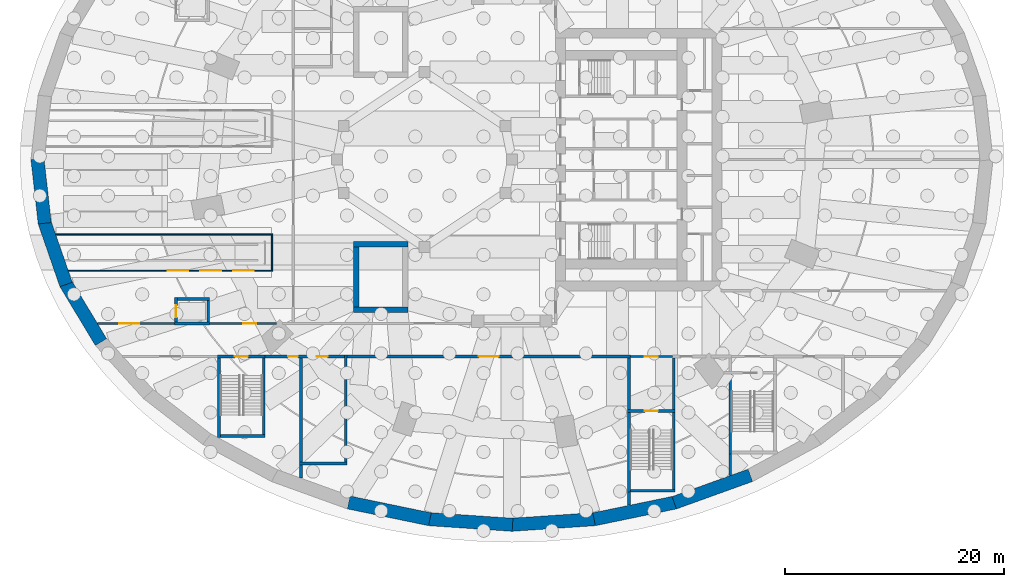
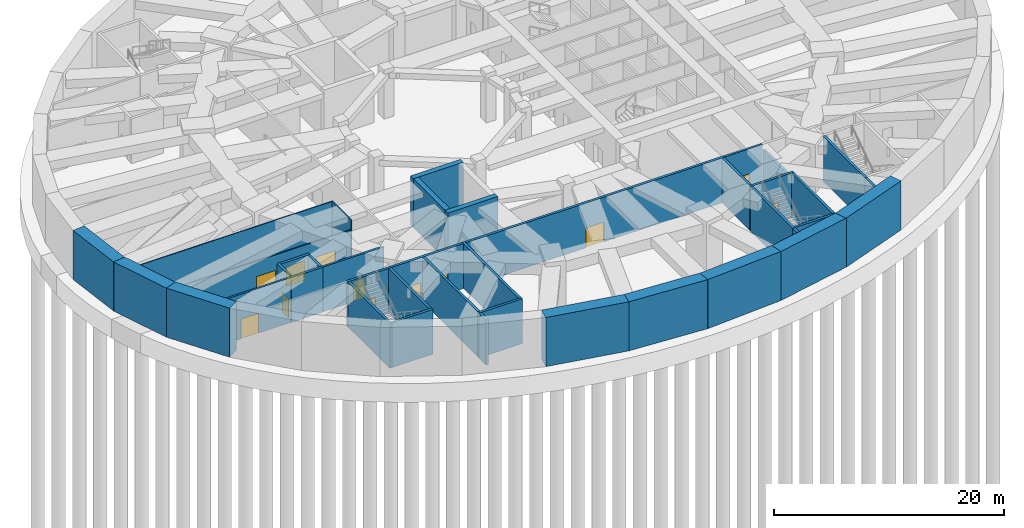
# One storey, part 7 of 18: 40 walls, 12 doors, 12 openings.
"""IFC4 building model written with IfcOpenShell, lengths in metres."""

from ifc_helpers import new_model, si_unit, direction, frame, frame_2d, origin, place, context, subcontext, project, spatial, rectangle, extrude, material, layer, layer_set, type_object, element, fill, save


model = new_model("IFC4")

# Units and contexts
model_context = context("Model", 3, precision=1e-05, world=origin(), true_north=direction((0.0, 1.0)))
body_context = subcontext(model_context, "Body", "Model", "MODEL_VIEW")
ifc_project = project(units=[si_unit("LENGTHUNIT", "METRE"), si_unit("AREAUNIT", "SQUARE_METRE"), si_unit("VOLUMEUNIT", "CUBIC_METRE"), si_unit("PLANEANGLEUNIT", "RADIAN"), si_unit("MASSUNIT", "GRAM", prefix="KILO")], contexts=[model_context])

# Site, building, storey
site_placement = place(None, origin())
site = spatial("IfcSite", under=ifc_project, at=site_placement, CompositionType="ELEMENT")
building_placement = place(site_placement, origin())
building = spatial("IfcBuilding", under=site, at=building_placement, Name="Taillehof Tower", CompositionType="ELEMENT")
storey_placement = place(building_placement, frame((0.0, 0.0, -10.39990234375)))
storey = spatial("IfcBuildingStorey", under=building, at=storey_placement, Name="B2", CompositionType="ELEMENT", Elevation=-10.39990234375)

# Wall, opening, door
ifc_material_1 = material(Name="Calcium silicate blockwork", Category="masonry")
ifc_layer_1 = layer(ifc_material_1, 0.199951171875)
ifc_layer_set_1 = layer_set([ifc_layer_1], Name="Compartment wall EI 60 200 mm")
wall_type_1 = type_object("IfcWallType", Name="Compartment wall EI 60 200 mm", PredefinedType="PARTITIONING", material=ifc_layer_set_1)
wall_1_placement = place(storey_placement, frame((10.824951171875, -18.0, 0.0), z_axis=(0.0, 0.0, 1.0), x_axis=(1.0, 0.0, 0.0)))
wall_1 = element("IfcWall", 1, at=wall_1_placement, inside=storey, type_object=wall_type_1, Name="Wall B2-14 / B2-27", PredefinedType="PARTITIONING", context=body_context, shape_type="SweptSolid", body=[
    extrude(rectangle(XDim=3.85009765625, YDim=0.199951171875, at=frame_2d((1.925048828125, 0.0))), origin(), (0.0, 0.0, 1.0), 4.75),
])
opening_1_placement = place(wall_1_placement, frame((1.324951171875, 0.0, 0.0)))
opening_1 = element("IfcOpeningElement", 2, at=opening_1_placement, cuts=wall_1, Name="Opening DB248", PredefinedType="OPENING", context=body_context, shape_type="SweptSolid", body=[
    extrude(rectangle(XDim=1.199951171875, YDim=2.10009765625, at=frame_2d((0.60009765625, 1.050048828125))), frame((0.0, 0.10986328125, 0.0), z_axis=(0.0, -1.0, 0.0), x_axis=(1.0, 0.0, 0.0)), (0.0, 0.0, 1.0), 0.219970703125),
])
ifc_material_2 = material(Name="Hollow metal door set")
door_type_1 = type_object("IfcDoorType", Name="Single door 1200 x 2100 FD60S", OperationType="SINGLE_SWING_LEFT", PredefinedType="DOOR", material=ifc_material_2)
door_1_placement = place(opening_1_placement, origin())
door_1 = element("IfcDoor", 3, at=door_1_placement, inside=storey, type_object=door_type_1, Name="Door DB248", OperationType="SINGLE_SWING_RIGHT", OverallHeight=2.10009765625, OverallWidth=1.199951171875, PredefinedType="DOOR", context=body_context, shape_type="SweptSolid", body=[
    extrude(rectangle(XDim=1.199951171875, YDim=2.10009765625, at=frame_2d((0.60009765625, 1.050048828125))), frame((0.0, 0.02490234375, 0.0), z_axis=(0.0, -1.0, 0.0), x_axis=(1.0, 0.0, 0.0)), (0.0, 0.0, 1.0), 0.050048828125),
])
fill(opening_1, door_1)

wall_2_placement = place(storey_placement, frame((-37.914794921875, -15.0, 0.0), z_axis=(0.0, 0.0, 1.0), x_axis=(1.0, 0.0, 0.0)))
wall_2 = element("IfcWall", 4, at=wall_2_placement, inside=storey, type_object=wall_type_1, Name="Wall B2-11 / B2-14", PredefinedType="PARTITIONING", context=body_context, shape_type="SweptSolid", body=[
    extrude(rectangle(XDim=7.064697265625, YDim=0.199951171875, at=frame_2d((3.5322265625, 0.0))), origin(), (0.0, 0.0, 1.0), 4.75),
])
opening_2_placement = place(wall_2_placement, frame((2.0146484375, 0.0, 0.0)))
opening_2 = element("IfcOpeningElement", 5, at=opening_2_placement, cuts=wall_2, Name="Opening DB252", PredefinedType="OPENING", context=body_context, shape_type="SweptSolid", body=[
    extrude(rectangle(XDim=1.800048828125, YDim=2.10009765625, at=frame_2d((0.89990234375, 1.050048828125))), frame((0.0, 0.10986328125, 0.0), z_axis=(0.0, -1.0, 0.0), x_axis=(1.0, 0.0, 0.0)), (0.0, 0.0, 1.0), 0.219970703125),
])
ifc_material_3 = material(Name="Hollow metal door set")
door_type_2 = type_object("IfcDoorType", Name="Double door 1800 x 2100 FD60S", OperationType="DOUBLE_DOOR_SINGLE_SWING", PredefinedType="DOOR", material=ifc_material_3)
door_2_placement = place(opening_2_placement, origin())
door_2 = element("IfcDoor", 6, at=door_2_placement, inside=storey, type_object=door_type_2, Name="Door DB252", OperationType="DOUBLE_DOOR_SINGLE_SWING", OverallHeight=2.10009765625, OverallWidth=1.800048828125, PredefinedType="DOOR", context=body_context, shape_type="SweptSolid", body=[
    extrude(rectangle(XDim=1.800048828125, YDim=2.10009765625, at=frame_2d((0.89990234375, 1.050048828125))), frame((0.0, 0.02490234375, 0.0), z_axis=(0.0, -1.0, 0.0), x_axis=(1.0, 0.0, 0.0)), (0.0, 0.0, 1.0), 0.050048828125),
])
fill(opening_2, door_2)

wall_3_placement = place(storey_placement, frame((-27.64990234375, -15.0, 0.0), z_axis=(0.0, 0.0, 1.0), x_axis=(1.0, 0.0, 0.0)))
wall_3 = element("IfcWall", 7, at=wall_3_placement, inside=storey, type_object=wall_type_1, Name="Wall B2-11 / B2-14", PredefinedType="PARTITIONING", context=body_context, shape_type="SweptSolid", body=[
    extrude(rectangle(XDim=6.106689453125, YDim=0.199951171875, at=frame_2d((3.05322265625, 0.0))), origin(), (0.0, 0.0, 1.0), 4.75),
])
opening_3_placement = place(wall_3_placement, frame((3.050048828125, 0.0, 0.0)))
opening_3 = element("IfcOpeningElement", 8, at=opening_3_placement, cuts=wall_3, Name="Opening DB253", PredefinedType="OPENING", context=body_context, shape_type="SweptSolid", body=[
    extrude(rectangle(XDim=1.199951171875, YDim=2.10009765625, at=frame_2d((0.60009765625, 1.050048828125))), frame((0.0, 0.10986328125, 0.0), z_axis=(0.0, -1.0, 0.0), x_axis=(1.0, 0.0, 0.0)), (0.0, 0.0, 1.0), 0.219970703125),
])
door_3_placement = place(opening_3_placement, origin())
door_3 = element("IfcDoor", 9, at=door_3_placement, inside=storey, type_object=door_type_1, Name="Door DB253", OperationType="SINGLE_SWING_LEFT", OverallHeight=2.10009765625, OverallWidth=1.199951171875, PredefinedType="DOOR", context=body_context, shape_type="SweptSolid", body=[
    extrude(rectangle(XDim=1.199951171875, YDim=2.10009765625, at=frame_2d((0.60009765625, 1.050048828125))), frame((0.0, 0.02490234375, 0.0), z_axis=(0.0, -1.0, 0.0), x_axis=(1.0, 0.0, 0.0)), (0.0, 0.0, 1.0), 0.050048828125),
])
fill(opening_3, door_3)

# Walls
ifc_material_4 = material(Name="Concrete C35/45", Category="concrete")
ifc_layer_2 = layer(ifc_material_4, 1.199951171875)
ifc_layer_set_2 = layer_set([ifc_layer_2], Name="Diaphragm wall 1200")
wall_type_2 = type_object("IfcWallType", Name="Diaphragm wall 1200", PredefinedType="USERDEFINED", material=ifc_layer_set_2)
wall_4_placement = place(storey_placement, frame((-43.402099609375, 0.05224609375, 0.0), z_axis=(0.0, 0.0, 1.0), x_axis=(0.112525170728, -0.993648874579, 0.0)))
element("IfcWall", 10, at=wall_4_placement, inside=storey, type_object=wall_type_2, Name="Diaphragm wall DW19", ObjectType="Retaining wall", PredefinedType="USERDEFINED", context=body_context, shape_type="SweptSolid", body=[
    extrude(rectangle(XDim=5.912353515625, YDim=1.199951171875, at=frame_2d((2.9560546875, 0.0))), origin(), (0.0, 0.0, 1.0), 5.199951171875),
])
wall_5_placement = place(storey_placement, frame((-42.760009765625, -5.720703125, 0.0), z_axis=(0.0, 0.0, 1.0), x_axis=(0.327626042927, -0.944807480917, 0.0)))
element("IfcWall", 11, at=wall_5_placement, inside=storey, type_object=wall_type_2, Name="Diaphragm wall DW20", ObjectType="Retaining wall", PredefinedType="USERDEFINED", context=body_context, shape_type="SweptSolid", body=[
    extrude(rectangle(XDim=6.034423828125, YDim=1.199951171875, at=frame_2d((3.01708984375, 0.0))), origin(), (0.0, 0.0, 1.0), 5.199951171875),
])
wall_6_placement = place(storey_placement, frame((-40.827392578125, -11.32763671875, 0.0), z_axis=(0.0, 0.0, 1.0), x_axis=(0.516691596258, -0.856171591655, 0.0)))
element("IfcWall", 12, at=wall_6_placement, inside=storey, type_object=wall_type_2, Name="Diaphragm wall DW21", ObjectType="Retaining wall", PredefinedType="USERDEFINED", context=body_context, shape_type="SweptSolid", body=[
    extrude(rectangle(XDim=6.25732421875, YDim=1.199951171875, at=frame_2d((3.128662109375, 0.0))), origin(), (0.0, 0.0, 1.0), 5.199951171875),
])
wall_7_placement = place(storey_placement, frame((-14.93701171875, -31.360107421875, 0.0), z_axis=(0.0, 0.0, 1.0), x_axis=(0.979235314674, -0.202726906196, 0.0)))
element("IfcWall", 13, at=wall_7_placement, inside=storey, type_object=wall_type_2, Name="Diaphragm wall DW26", ObjectType="Retaining wall", PredefinedType="USERDEFINED", context=body_context, shape_type="SweptSolid", body=[
    extrude(rectangle(XDim=7.5869140625, YDim=1.199951171875, at=frame_2d((3.79345703125, 0.0))), origin(), (0.0, 0.0, 1.0), 5.199951171875),
])
for number, where, z_axis, x_axis, name in (
    (14, (-7.611572265625, -32.884033203125, 0.0), (0.0, 0.0, 1.0), (0.99772313347, -0.067442930977, 0.0), "Diaphragm wall DW27"),
    (15, (-0.052490234375, -33.402099609375, 0.0), (0.0, 0.0, 1.0), (0.99772313347, 0.067442930977, 0.0), "Diaphragm wall DW28"),
):
    element("IfcWall", number, at=place(storey_placement, frame(where, z_axis=z_axis, x_axis=x_axis)), inside=storey, type_object=wall_type_2, Name=name, ObjectType="Retaining wall", PredefinedType="USERDEFINED", context=body_context, shape_type="SweptSolid", body=[
        extrude(rectangle(XDim=7.681640625, YDim=1.199951171875, at=frame_2d((3.8408203125, 0.0))), origin(), (0.0, 0.0, 1.0), 5.199951171875),
    ])
wall_8_placement = place(storey_placement, frame((7.507568359375, -32.898193359375, 0.0), z_axis=(0.0, 0.0, 1.0), x_axis=(0.979235314674, 0.202726906196, 0.0)))
element("IfcWall", 16, at=wall_8_placement, inside=storey, type_object=wall_type_2, Name="Diaphragm wall DW29", ObjectType="Retaining wall", PredefinedType="USERDEFINED", context=body_context, shape_type="SweptSolid", body=[
    extrude(rectangle(XDim=7.5869140625, YDim=1.199951171875, at=frame_2d((3.79345703125, 0.0))), origin(), (0.0, 0.0, 1.0), 5.199951171875),
])
wall_9_placement = place(storey_placement, frame((14.836181640625, -31.388427734375, 0.0), z_axis=(0.0, 0.0, 1.0), x_axis=(0.940789454531, 0.338991448628, 0.0)))
element("IfcWall", 17, at=wall_9_placement, inside=storey, type_object=wall_type_2, Name="Diaphragm wall DW30", ObjectType="Retaining wall", PredefinedType="USERDEFINED", context=body_context, shape_type="SweptSolid", body=[
    extrude(rectangle(XDim=7.40576171875, YDim=1.199951171875, at=frame_2d((3.702880859375, 0.0))), origin(), (0.0, 0.0, 1.0), 5.199951171875),
])
ifc_material_5 = material(Name="Calcium silicate blockwork", Category="masonry")
ifc_layer_3 = layer(ifc_material_5, 0.25)
ifc_layer_set_3 = layer_set([ifc_layer_3], Name="Fire-resisting wall EI 120 250 mm")
wall_type_3 = type_object("IfcWallType", Name="Fire-resisting wall EI 120 250 mm", PredefinedType="PARTITIONING", material=ifc_layer_set_3)
wall_10_placement = place(storey_placement, frame((-19.425048828125, -27.7900390625, 0.0), z_axis=(0.0, 0.0, 1.0), x_axis=(1.0, 0.0, 0.0)))
element("IfcWall", 18, at=wall_10_placement, inside=storey, type_object=wall_type_3, Name="Wall B2-25 / B2-26", PredefinedType="PARTITIONING", context=body_context, shape_type="SweptSolid", body=[
    extrude(rectangle(XDim=4.35009765625, YDim=0.25, at=frame_2d((2.175048828125, 0.0))), origin(), (0.0, 0.0, 1.0), 4.75),
])

# Wall, openings, doors
wall_11_placement = place(storey_placement, frame((-22.574951171875, -18.0, 0.0), z_axis=(0.0, 0.0, 1.0), x_axis=(1.0, 0.0, 0.0)))
wall_11 = element("IfcWall", 19, at=wall_11_placement, inside=storey, type_object=wall_type_3, Name="Wall B2-14 / B2-24", PredefinedType="PARTITIONING", context=body_context, shape_type="SweptSolid", body=[
    extrude(rectangle(XDim=7.25, YDim=0.25, at=frame_2d((3.625, 0.0))), origin(), (0.0, 0.0, 1.0), 4.75),
])
opening_4_placement = place(wall_11_placement, frame((2.10009765625, 0.0, 0.0)))
opening_4 = element("IfcOpeningElement", 20, at=opening_4_placement, cuts=wall_11, Name="Opening DB245", PredefinedType="OPENING", context=body_context, shape_type="SweptSolid", body=[
    extrude(rectangle(XDim=0.89990234375, YDim=2.10009765625, at=frame_2d((0.449951171875, 1.050048828125))), frame((0.0, 0.135009765625, 0.0), z_axis=(0.0, -1.0, 0.0), x_axis=(1.0, 0.0, 0.0)), (0.0, 0.0, 1.0), 0.27001953125),
])
opening_5_placement = place(wall_11_placement, frame((4.699951171875, 0.0, 0.0)))
opening_5 = element("IfcOpeningElement", 21, at=opening_5_placement, cuts=wall_11, Name="Opening DB246", PredefinedType="OPENING", context=body_context, shape_type="SweptSolid", body=[
    extrude(rectangle(XDim=1.0, YDim=2.10009765625, at=frame_2d((0.5, 1.050048828125))), frame((0.0, 0.135009765625, 0.0), z_axis=(0.0, -1.0, 0.0), x_axis=(1.0, 0.0, 0.0)), (0.0, 0.0, 1.0), 0.27001953125),
])
ifc_material_6 = material(Name="Hollow metal door set")
door_type_3 = type_object("IfcDoorType", Name="Single door 1000 x 2100 FD120S", OperationType="SINGLE_SWING_LEFT", PredefinedType="DOOR", material=ifc_material_6)
door_4_placement = place(opening_5_placement, origin())
door_4 = element("IfcDoor", 22, at=door_4_placement, inside=storey, type_object=door_type_3, Name="Door DB246", OperationType="SINGLE_SWING_RIGHT", OverallHeight=2.10009765625, OverallWidth=1.0, PredefinedType="DOOR", context=body_context, shape_type="SweptSolid", body=[
    extrude(rectangle(XDim=1.0, YDim=2.10009765625, at=frame_2d((0.5, 1.050048828125))), frame((0.0, 0.02490234375, 0.0), z_axis=(0.0, -1.0, 0.0), x_axis=(1.0, 0.0, 0.0)), (0.0, 0.0, 1.0), 0.050048828125),
])
fill(opening_5, door_4)
ifc_material_7 = material(Name="Hollow metal door set")
door_type_4 = type_object("IfcDoorType", Name="Single door 900 x 2100 FD120S", OperationType="SINGLE_SWING_LEFT", PredefinedType="DOOR", material=ifc_material_7)
door_5_placement = place(opening_4_placement, origin())
door_5 = element("IfcDoor", 23, at=door_5_placement, inside=storey, type_object=door_type_4, Name="Door DB245", OperationType="SINGLE_SWING_LEFT", OverallHeight=2.10009765625, OverallWidth=0.89990234375, PredefinedType="DOOR", context=body_context, shape_type="SweptSolid", body=[
    extrude(rectangle(XDim=0.89990234375, YDim=2.10009765625, at=frame_2d((0.449951171875, 1.050048828125))), frame((0.0, 0.02490234375, 0.0), z_axis=(0.0, -1.0, 0.0), x_axis=(1.0, 0.0, 0.0)), (0.0, 0.0, 1.0), 0.050048828125),
])
fill(opening_4, door_5)

# Wall, opening, door
wall_12_placement = place(storey_placement, frame((-15.074951171875, -18.0, 0.0), z_axis=(0.0, 0.0, 1.0), x_axis=(1.0, 0.0, 0.0)))
wall_12 = element("IfcWall", 24, at=wall_12_placement, inside=storey, type_object=wall_type_3, Name="Wall B2-14 / B2-26", PredefinedType="PARTITIONING", context=body_context, shape_type="SweptSolid", body=[
    extrude(rectangle(XDim=25.89990234375, YDim=0.25, at=frame_2d((12.949951171875, 0.0))), origin(), (0.0, 0.0, 1.0), 4.75),
])
opening_6_placement = place(wall_12_placement, frame((12.050048828125, 0.0, 0.0)))
opening_6 = element("IfcOpeningElement", 25, at=opening_6_placement, cuts=wall_12, Name="Opening DB247", PredefinedType="OPENING", context=body_context, shape_type="SweptSolid", body=[
    extrude(rectangle(XDim=1.800048828125, YDim=2.10009765625, at=frame_2d((0.89990234375, 1.050048828125))), frame((0.0, 0.135009765625, 0.0), z_axis=(0.0, -1.0, 0.0), x_axis=(1.0, 0.0, 0.0)), (0.0, 0.0, 1.0), 0.27001953125),
])
ifc_material_8 = material(Name="Hollow metal door set")
door_type_5 = type_object("IfcDoorType", Name="Double door 1800 x 2100 FD120S", OperationType="DOUBLE_DOOR_SINGLE_SWING", PredefinedType="DOOR", material=ifc_material_8)
door_6_placement = place(opening_6_placement, origin())
door_6 = element("IfcDoor", 26, at=door_6_placement, inside=storey, type_object=door_type_5, Name="Door DB247", OperationType="DOUBLE_DOOR_SINGLE_SWING", OverallHeight=2.10009765625, OverallWidth=1.800048828125, PredefinedType="DOOR", context=body_context, shape_type="SweptSolid", body=[
    extrude(rectangle(XDim=1.800048828125, YDim=2.10009765625, at=frame_2d((0.89990234375, 1.050048828125))), frame((0.0, 0.02490234375, 0.0), z_axis=(0.0, -1.0, 0.0), x_axis=(1.0, 0.0, 0.0)), (0.0, 0.0, 1.0), 0.050048828125),
])
fill(opening_6, door_6)

# Walls
wall_13_placement = place(storey_placement, frame((-19.300048828125, -29.13623046875, 0.0), z_axis=(0.0, 0.0, 1.0), x_axis=(0.0, 1.0, 0.0)))
element("IfcWall", 27, at=wall_13_placement, inside=storey, type_object=wall_type_3, Name="Wall B2-24 / B2-26", PredefinedType="PARTITIONING", context=body_context, shape_type="SweptSolid", body=[
    extrude(rectangle(XDim=1.22119140625, YDim=0.25, at=frame_2d((0.610595703125, 0.0))), origin(), (0.0, 0.0, 1.0), 4.75),
])
wall_14_placement = place(storey_placement, frame((-19.300048828125, -27.6650390625, 0.0), z_axis=(0.0, 0.0, 1.0), x_axis=(0.0, 1.0, 0.0)))
element("IfcWall", 28, at=wall_14_placement, inside=storey, type_object=wall_type_3, Name="Wall B2-24 / B2-25", PredefinedType="PARTITIONING", context=body_context, shape_type="SweptSolid", body=[
    extrude(rectangle(XDim=9.5400390625, YDim=0.25, at=frame_2d((4.77001953125, 0.0))), origin(), (0.0, 0.0, 1.0), 4.75),
])
wall_15_placement = place(storey_placement, frame((-15.199951171875, -27.6650390625, 0.0), z_axis=(0.0, 0.0, 1.0), x_axis=(0.0, 1.0, 0.0)))
element("IfcWall", 29, at=wall_15_placement, inside=storey, type_object=wall_type_3, Name="Wall B2-25 / B2-26", PredefinedType="PARTITIONING", context=body_context, shape_type="SweptSolid", body=[
    extrude(rectangle(XDim=9.7900390625, YDim=0.25, at=frame_2d((4.89501953125, 0.0))), origin(), (0.0, 0.0, 1.0), 4.75),
])
wall_16_placement = place(storey_placement, frame((10.699951171875, -31.601318359375, 0.0), z_axis=(0.0, 0.0, 1.0), x_axis=(0.0, 1.0, 0.0)))
element("IfcWall", 30, at=wall_16_placement, inside=storey, type_object=wall_type_3, Name="Wall B2-26 / B2-28", PredefinedType="PARTITIONING", context=body_context, shape_type="SweptSolid", body=[
    extrude(rectangle(XDim=1.186279296875, YDim=0.25, at=frame_2d((0.59326171875, 0.0))), origin(), (0.0, 0.0, 1.0), 4.75),
])
wall_17_placement = place(storey_placement, frame((10.699951171875, -22.875, 0.0), z_axis=(0.0, 0.0, 1.0), x_axis=(0.0, 1.0, 0.0)))
element("IfcWall", 31, at=wall_17_placement, inside=storey, type_object=wall_type_3, Name="Wall B2-26 / B2-27", PredefinedType="PARTITIONING", context=body_context, shape_type="SweptSolid", body=[
    extrude(rectangle(XDim=4.75, YDim=0.25, at=frame_2d((2.375, 0.0))), origin(), (0.0, 0.0, 1.0), 4.75),
])
wall_18_placement = place(storey_placement, frame((14.800048828125, -22.875, 0.0), z_axis=(0.0, 0.0, 1.0), x_axis=(0.0, 1.0, 0.0)))
element("IfcWall", 32, at=wall_18_placement, inside=storey, type_object=wall_type_3, Name="Wall B2-27 / B2-28", PredefinedType="PARTITIONING", context=body_context, shape_type="SweptSolid", body=[
    extrude(rectangle(XDim=4.75, YDim=0.25, at=frame_2d((2.375, 0.0))), origin(), (0.0, 0.0, 1.0), 4.199951171875),
])
wall_19_placement = place(storey_placement, frame((19.949951171875, -28.902099609375, 0.0), z_axis=(0.0, 0.0, 1.0), x_axis=(0.0, 1.0, 0.0)))
element("IfcWall", 33, at=wall_19_placement, inside=storey, type_object=wall_type_3, Name="Wall B2-28 / B2-30", PredefinedType="PARTITIONING", context=body_context, shape_type="SweptSolid", body=[
    extrude(rectangle(XDim=1.987060546875, YDim=0.25, at=frame_2d((0.99365234375, 0.0))), origin(), (0.0, 0.0, 1.0), 4.75),
])

# Wall, openings, doors
ifc_material_9 = material(Name="Laminated glass in steel frame", Category="steel")
ifc_layer_4 = layer(ifc_material_9, 0.10009765625)
ifc_layer_set_4 = layer_set([ifc_layer_4], Name="Platform screen wall 100")
wall_type_4 = type_object("IfcWallType", Name="Platform screen wall 100", PredefinedType="PARTITIONING", material=ifc_layer_set_4)
wall_20_placement = place(storey_placement, frame((-40.568115234375, -10.14990234375, 0.0), z_axis=(0.0, 0.0, 1.0), x_axis=(1.0, 0.0, 0.0)))
wall_20 = element("IfcWall", 34, at=wall_20_placement, inside=storey, type_object=wall_type_4, Name="South platform screen 1", PredefinedType="PARTITIONING", context=body_context, shape_type="SweptSolid", body=[
    extrude(rectangle(XDim=18.568115234375, YDim=0.10009765625, at=frame_2d((9.2841796875, 0.0))), origin(), (0.0, 0.0, 1.0), 3.75),
])
opening_7_placement = place(wall_20_placement, frame((15.068115234375, 0.0, 0.0)))
opening_7 = element("IfcOpeningElement", 35, at=opening_7_placement, cuts=wall_20, Name="Opening PSD1", PredefinedType="OPENING", context=body_context, shape_type="SweptSolid", body=[
    extrude(rectangle(XDim=1.89990234375, YDim=2.10009765625, at=frame_2d((0.949951171875, 1.050048828125))), frame((0.0, 0.06005859375, 0.0), z_axis=(0.0, -1.0, 0.0), x_axis=(1.0, 0.0, 0.0)), (0.0, 0.0, 1.0), 0.1201171875),
])
opening_8_placement = place(wall_20_placement, frame((12.068115234375, 0.0, 0.0)))
opening_8 = element("IfcOpeningElement", 36, at=opening_8_placement, cuts=wall_20, Name="Opening PSD1", PredefinedType="OPENING", context=body_context, shape_type="SweptSolid", body=[
    extrude(rectangle(XDim=1.89990234375, YDim=2.10009765625, at=frame_2d((0.949951171875, 1.050048828125))), frame((0.0, 0.06005859375, 0.0), z_axis=(0.0, -1.0, 0.0), x_axis=(1.0, 0.0, 0.0)), (0.0, 0.0, 1.0), 0.1201171875),
])
opening_9_placement = place(wall_20_placement, frame((9.068115234375, 0.0, 0.0)))
opening_9 = element("IfcOpeningElement", 37, at=opening_9_placement, cuts=wall_20, Name="Opening PSD1", PredefinedType="OPENING", context=body_context, shape_type="SweptSolid", body=[
    extrude(rectangle(XDim=1.89990234375, YDim=2.10009765625, at=frame_2d((0.949951171875, 1.050048828125))), frame((0.0, 0.06005859375, 0.0), z_axis=(0.0, -1.0, 0.0), x_axis=(1.0, 0.0, 0.0)), (0.0, 0.0, 1.0), 0.1201171875),
])
ifc_material_10 = material(Name="Laminated glass in steel frame", Category="steel")
door_type_6 = type_object("IfcDoorType", Name="Platform screen door 1900 x 2100", OperationType="SLIDING_TO_LEFT", PredefinedType="DOOR", material=ifc_material_10)
door_7_placement = place(opening_7_placement, origin())
door_7 = element("IfcDoor", 38, at=door_7_placement, inside=storey, type_object=door_type_6, Name="Platform screen door 7", OperationType="DOUBLE_DOOR_SLIDING", OverallHeight=2.10009765625, OverallWidth=1.89990234375, PredefinedType="DOOR", context=body_context, shape_type="SweptSolid", body=[
    extrude(rectangle(XDim=1.89990234375, YDim=2.10009765625, at=frame_2d((0.949951171875, 1.050048828125))), frame((0.0, 0.02490234375, 0.0), z_axis=(0.0, -1.0, 0.0), x_axis=(1.0, 0.0, 0.0)), (0.0, 0.0, 1.0), 0.050048828125),
])
fill(opening_7, door_7)
door_8_placement = place(opening_8_placement, origin())
door_8 = element("IfcDoor", 39, at=door_8_placement, inside=storey, type_object=door_type_6, Name="Platform screen door 8", OperationType="DOUBLE_DOOR_SLIDING", OverallHeight=2.10009765625, OverallWidth=1.89990234375, PredefinedType="DOOR", context=body_context, shape_type="SweptSolid", body=[
    extrude(rectangle(XDim=1.89990234375, YDim=2.10009765625, at=frame_2d((0.949951171875, 1.050048828125))), frame((0.0, 0.02490234375, 0.0), z_axis=(0.0, -1.0, 0.0), x_axis=(1.0, 0.0, 0.0)), (0.0, 0.0, 1.0), 0.050048828125),
])
fill(opening_8, door_8)
door_9_placement = place(opening_9_placement, origin())
door_9 = element("IfcDoor", 40, at=door_9_placement, inside=storey, type_object=door_type_6, Name="Platform screen door 9", OperationType="DOUBLE_DOOR_SLIDING", OverallHeight=2.10009765625, OverallWidth=1.89990234375, PredefinedType="DOOR", context=body_context, shape_type="SweptSolid", body=[
    extrude(rectangle(XDim=1.89990234375, YDim=2.10009765625, at=frame_2d((0.949951171875, 1.050048828125))), frame((0.0, 0.02490234375, 0.0), z_axis=(0.0, -1.0, 0.0), x_axis=(1.0, 0.0, 0.0)), (0.0, 0.0, 1.0), 0.050048828125),
])
fill(opening_9, door_9)

# Walls
wall_21_placement = place(storey_placement, frame((-41.71240234375, -6.85009765625, 0.0), z_axis=(0.0, 0.0, 1.0), x_axis=(1.0, 0.0, 0.0)))
element("IfcWall", 41, at=wall_21_placement, inside=storey, type_object=wall_type_4, Name="South platform screen 2", PredefinedType="PARTITIONING", context=body_context, shape_type="SweptSolid", body=[
    extrude(rectangle(XDim=19.71240234375, YDim=0.10009765625, at=frame_2d((9.856201171875, 0.0))), origin(), (0.0, 0.0, 1.0), 4.75),
])
wall_22_placement = place(storey_placement, frame((-21.949951171875, -10.199951171875, 0.0), z_axis=(0.0, 0.0, 1.0), x_axis=(0.0, 1.0, 0.0)))
element("IfcWall", 42, at=wall_22_placement, inside=storey, type_object=wall_type_4, Name="South platform screen end", PredefinedType="PARTITIONING", context=body_context, shape_type="SweptSolid", body=[
    extrude(rectangle(XDim=3.39990234375, YDim=0.10009765625, at=frame_2d((1.699951171875, 0.0))), origin(), (0.0, 0.0, 1.0), 4.75),
])
ifc_material_11 = material(Name="Calcium silicate blockwork", Category="masonry")
ifc_layer_5 = layer(ifc_material_11, 0.25)
ifc_layer_set_5 = layer_set([ifc_layer_5], Name="Shaft wall EI 120 250 mm")
wall_type_5 = type_object("IfcWallType", Name="Shaft wall EI 120 250 mm", PredefinedType="SHEAR", material=ifc_layer_set_5)
wall_23_placement = place(storey_placement, frame((-30.85009765625, -15.0, 0.0), z_axis=(0.0, 0.0, 1.0), x_axis=(1.0, 0.0, 0.0)))
element("IfcWall", 43, at=wall_23_placement, inside=storey, type_object=wall_type_5, Name="Wall B2-08 / B2-14", PredefinedType="SHEAR", context=body_context, shape_type="SweptSolid", body=[
    extrude(rectangle(XDim=3.2001953125, YDim=0.25, at=frame_2d((1.60009765625, 0.0))), origin(), (0.0, 0.0, 1.0), 4.75),
])
wall_24_placement = place(storey_placement, frame((-30.60009765625, -12.75, 0.0), z_axis=(0.0, 0.0, 1.0), x_axis=(1.0, 0.0, 0.0)))
element("IfcWall", 44, at=wall_24_placement, inside=storey, type_object=wall_type_5, Name="Wall B2-08 / B2-11", PredefinedType="SHEAR", context=body_context, shape_type="SweptSolid", body=[
    extrude(rectangle(XDim=2.9501953125, YDim=0.25, at=frame_2d((1.47509765625, 0.0))), origin(), (0.0, 0.0, 1.0), 4.75),
])

# Wall, opening, door
wall_25_placement = place(storey_placement, frame((-30.72509765625, -14.875, 0.0), z_axis=(0.0, 0.0, 1.0), x_axis=(0.0, 1.0, 0.0)))
wall_25 = element("IfcWall", 45, at=wall_25_placement, inside=storey, type_object=wall_type_5, Name="Wall B2-08 / B2-11", PredefinedType="SHEAR", context=body_context, shape_type="SweptSolid", body=[
    extrude(rectangle(XDim=2.25, YDim=0.25, at=frame_2d((1.125, 0.0))), origin(), (0.0, 0.0, 1.0), 4.75),
])
opening_10_placement = place(wall_25_placement, frame((0.449951171875, 0.0, 0.0)))
opening_10 = element("IfcOpeningElement", 46, at=opening_10_placement, cuts=wall_25, Name="Opening LD4", PredefinedType="OPENING", context=body_context, shape_type="SweptSolid", body=[
    extrude(rectangle(XDim=1.10009765625, YDim=2.10009765625, at=frame_2d((0.550048828125, 1.050048828125))), frame((0.0, 0.135009765625, 0.0), z_axis=(0.0, -1.0, 0.0), x_axis=(1.0, 0.0, 0.0)), (0.0, 0.0, 1.0), 0.27001953125),
])
ifc_material_12 = material(Name="Brushed stainless lift door")
door_type_7 = type_object("IfcDoorType", Name="Lift landing door 1100 x 2100", OperationType="SLIDING_TO_LEFT", PredefinedType="DOOR", material=ifc_material_12)
door_10_placement = place(opening_10_placement, origin())
door_10 = element("IfcDoor", 47, at=door_10_placement, inside=storey, type_object=door_type_7, Name="Landing door DB255", OperationType="SLIDING_TO_LEFT", OverallHeight=2.10009765625, OverallWidth=1.10009765625, PredefinedType="DOOR", context=body_context, shape_type="SweptSolid", body=[
    extrude(rectangle(XDim=1.10009765625, YDim=2.10009765625, at=frame_2d((0.550048828125, 1.050048828125))), frame((0.0, 0.02490234375, 0.0), z_axis=(0.0, -1.0, 0.0), x_axis=(1.0, 0.0, 0.0)), (0.0, 0.0, 1.0), 0.050048828125),
])
fill(opening_10, door_10)

# Walls
wall_26_placement = place(storey_placement, frame((-27.77490234375, -14.875, 0.0), z_axis=(0.0, 0.0, 1.0), x_axis=(0.0, 1.0, 0.0)))
element("IfcWall", 48, at=wall_26_placement, inside=storey, type_object=wall_type_5, Name="Wall B2-08 / B2-11", PredefinedType="SHEAR", context=body_context, shape_type="SweptSolid", body=[
    extrude(rectangle(XDim=2.0, YDim=0.25, at=frame_2d((1.0, 0.0))), origin(), (0.0, 0.0, 1.0), 4.75),
])
ifc_material_13 = material(Name="Concrete C60/75", Category="concrete")
ifc_layer_6 = layer(ifc_material_13, 0.5)
ifc_layer_set_6 = layer_set([ifc_layer_6], Name="Stair enclosure base wall 500")
wall_type_6 = type_object("IfcWallType", Name="Stair enclosure base wall 500", PredefinedType="SHEAR", material=ifc_layer_set_6)
for number, where, z_axis, x_axis, name in (
    (49, (-14.5, -13.75, 0.0), (0.0, 0.0, 1.0), (1.0, 0.0, 0.0), "Enclosure base wall S4-1"),
    (50, (-9.5, -7.75, 0.0), (0.0, 0.0, 1.0), (-1.0, 0.0, 0.0), "Enclosure base wall S4-3"),
):
    element("IfcWall", number, at=place(storey_placement, frame(where, z_axis=z_axis, x_axis=x_axis)), inside=storey, type_object=wall_type_6, Name=name, PredefinedType="SHEAR", context=body_context, shape_type="SweptSolid", body=[
        extrude(rectangle(XDim=5.0, YDim=0.5, at=frame_2d((2.5, 0.0))), origin(), (0.0, 0.0, 1.0), 5.199951171875),
    ])
wall_27_placement = place(storey_placement, frame((-14.25, -7.5, 0.0), z_axis=(0.0, 0.0, 1.0), x_axis=(0.0, -1.0, 0.0)))
element("IfcWall", 51, at=wall_27_placement, inside=storey, type_object=wall_type_6, Name="Enclosure base wall S4-4", PredefinedType="SHEAR", context=body_context, shape_type="SweptSolid", body=[
    extrude(rectangle(XDim=6.5, YDim=0.5, at=frame_2d((3.25, 0.0))), origin(), (0.0, 0.0, 1.0), 5.199951171875),
])
ifc_material_14 = material(Name="Concrete C40/50", Category="concrete")
ifc_layer_7 = layer(ifc_material_14, 0.25)
ifc_layer_set_7 = layer_set([ifc_layer_7], Name="Stair wall EI 120 250 mm")
wall_type_7 = type_object("IfcWallType", Name="Stair wall EI 120 250 mm", PredefinedType="SOLIDWALL", material=ifc_layer_set_7)
for number, where, z_axis, x_axis, name in (
    (52, (10.824951171875, -30.2900390625, 0.0), (0.0, 0.0, 1.0), (1.0, 0.0, 0.0), "Wall B2-06 / B2-28"),
    (53, (-26.675048828125, -25.2900390625, 0.0), (0.0, 0.0, 1.0), (1.0, 0.0, 0.0), "Wall B2-02 / B2-24"),
):
    element("IfcWall", number, at=place(storey_placement, frame(where, z_axis=z_axis, x_axis=x_axis)), inside=storey, type_object=wall_type_7, Name=name, PredefinedType="SOLIDWALL", context=body_context, shape_type="SweptSolid", body=[
        extrude(rectangle(XDim=4.10009765625, YDim=0.25, at=frame_2d((2.050048828125, 0.0))), origin(), (0.0, 0.0, 1.0), 4.75),
    ])

# Wall, opening, door
wall_28_placement = place(storey_placement, frame((10.574951171875, -23.0, 0.0), z_axis=(0.0, 0.0, 1.0), x_axis=(1.0, 0.0, 0.0)))
wall_28 = element("IfcWall", 54, at=wall_28_placement, inside=storey, type_object=wall_type_7, Name="Wall B2-06 / B2-27", PredefinedType="SOLIDWALL", context=body_context, shape_type="SweptSolid", body=[
    extrude(rectangle(XDim=4.35009765625, YDim=0.25, at=frame_2d((2.175048828125, 0.0))), origin(), (0.0, 0.0, 1.0), 4.75),
])
opening_11_placement = place(wall_28_placement, frame((1.574951171875, 0.0, 0.0)))
opening_11 = element("IfcOpeningElement", 55, at=opening_11_placement, cuts=wall_28, Name="Opening DB241", PredefinedType="OPENING", context=body_context, shape_type="SweptSolid", body=[
    extrude(rectangle(XDim=1.199951171875, YDim=2.10009765625, at=frame_2d((0.60009765625, 1.050048828125))), frame((0.0, 0.135009765625, 0.0), z_axis=(0.0, -1.0, 0.0), x_axis=(1.0, 0.0, 0.0)), (0.0, 0.0, 1.0), 0.27001953125),
])
ifc_material_15 = material(Name="Hollow metal door set")
door_type_8 = type_object("IfcDoorType", Name="Single door 1200 x 2100 FD120S", OperationType="SINGLE_SWING_LEFT", PredefinedType="DOOR", material=ifc_material_15)
door_11_placement = place(opening_11_placement, origin())
door_11 = element("IfcDoor", 56, at=door_11_placement, inside=storey, type_object=door_type_8, Name="Door DB241", OperationType="SINGLE_SWING_LEFT", OverallHeight=2.10009765625, OverallWidth=1.199951171875, PredefinedType="DOOR", context=body_context, shape_type="SweptSolid", body=[
    extrude(rectangle(XDim=1.199951171875, YDim=2.10009765625, at=frame_2d((0.60009765625, 1.050048828125))), frame((0.0, 0.02490234375, 0.0), z_axis=(0.0, -1.0, 0.0), x_axis=(1.0, 0.0, 0.0)), (0.0, 0.0, 1.0), 0.050048828125),
])
fill(opening_11, door_11)

wall_29_placement = place(storey_placement, frame((-26.925048828125, -18.0, 0.0), z_axis=(0.0, 0.0, 1.0), x_axis=(1.0, 0.0, 0.0)))
wall_29 = element("IfcWall", 57, at=wall_29_placement, inside=storey, type_object=wall_type_7, Name="Wall B2-02 / B2-14", PredefinedType="SOLIDWALL", context=body_context, shape_type="SweptSolid", body=[
    extrude(rectangle(XDim=4.35009765625, YDim=0.25, at=frame_2d((2.175048828125, 0.0))), origin(), (0.0, 0.0, 1.0), 4.75),
])
opening_12_placement = place(wall_29_placement, frame((1.574951171875, 0.0, 0.0)))
opening_12 = element("IfcOpeningElement", 58, at=opening_12_placement, cuts=wall_29, Name="Opening DB244", PredefinedType="OPENING", context=body_context, shape_type="SweptSolid", body=[
    extrude(rectangle(XDim=1.199951171875, YDim=2.10009765625, at=frame_2d((0.60009765625, 1.050048828125))), frame((0.0, 0.135009765625, 0.0), z_axis=(0.0, -1.0, 0.0), x_axis=(1.0, 0.0, 0.0)), (0.0, 0.0, 1.0), 0.27001953125),
])
door_12_placement = place(opening_12_placement, origin())
door_12 = element("IfcDoor", 59, at=door_12_placement, inside=storey, type_object=door_type_8, Name="Door DB244", OperationType="SINGLE_SWING_RIGHT", OverallHeight=2.10009765625, OverallWidth=1.199951171875, PredefinedType="DOOR", context=body_context, shape_type="SweptSolid", body=[
    extrude(rectangle(XDim=1.199951171875, YDim=2.10009765625, at=frame_2d((0.60009765625, 1.050048828125))), frame((0.0, 0.02490234375, 0.0), z_axis=(0.0, -1.0, 0.0), x_axis=(1.0, 0.0, 0.0)), (0.0, 0.0, 1.0), 0.050048828125),
])
fill(opening_12, door_12)

# Walls
wall_30_placement = place(storey_placement, frame((-26.800048828125, -25.4150390625, 0.0), z_axis=(0.0, 0.0, 1.0), x_axis=(0.0, 1.0, 0.0)))
element("IfcWall", 60, at=wall_30_placement, inside=storey, type_object=wall_type_7, Name="Wall B2-02 / B2-23", PredefinedType="SOLIDWALL", context=body_context, shape_type="SweptSolid", body=[
    extrude(rectangle(XDim=7.2900390625, YDim=0.25, at=frame_2d((3.64501953125, 0.0))), origin(), (0.0, 0.0, 1.0), 4.75),
])
wall_31_placement = place(storey_placement, frame((-22.699951171875, -25.1650390625, 0.0), z_axis=(0.0, 0.0, 1.0), x_axis=(0.0, 1.0, 0.0)))
element("IfcWall", 61, at=wall_31_placement, inside=storey, type_object=wall_type_7, Name="Wall B2-02 / B2-24", PredefinedType="SOLIDWALL", context=body_context, shape_type="SweptSolid", body=[
    extrude(rectangle(XDim=7.0400390625, YDim=0.25, at=frame_2d((3.52001953125, 0.0))), origin(), (0.0, 0.0, 1.0), 4.75),
])
wall_32_placement = place(storey_placement, frame((10.699951171875, -30.4150390625, 0.0), z_axis=(0.0, 0.0, 1.0), x_axis=(0.0, 1.0, 0.0)))
element("IfcWall", 62, at=wall_32_placement, inside=storey, type_object=wall_type_7, Name="Wall B2-06 / B2-26", PredefinedType="SOLIDWALL", context=body_context, shape_type="SweptSolid", body=[
    extrude(rectangle(XDim=7.2900390625, YDim=0.25, at=frame_2d((3.64501953125, 0.0))), origin(), (0.0, 0.0, 1.0), 4.75),
])
wall_33_placement = place(storey_placement, frame((14.800048828125, -30.1650390625, 0.0), z_axis=(0.0, 0.0, 1.0), x_axis=(0.0, 1.0, 0.0)))
element("IfcWall", 63, at=wall_33_placement, inside=storey, type_object=wall_type_7, Name="Wall B2-06 / B2-28", PredefinedType="SOLIDWALL", context=body_context, shape_type="SweptSolid", body=[
    extrude(rectangle(XDim=7.0400390625, YDim=0.25, at=frame_2d((3.52001953125, 0.0))), origin(), (0.0, 0.0, 1.0), 4.75),
])
wall_34_placement = place(storey_placement, frame((19.949951171875, -26.9150390625, 0.0), z_axis=(0.0, 0.0, 1.0), x_axis=(0.0, 1.0, 0.0)))
element("IfcWall", 64, at=wall_34_placement, inside=storey, type_object=wall_type_7, Name="Wall B2-04 / B2-28", PredefinedType="SOLIDWALL", context=body_context, shape_type="SweptSolid", body=[
    extrude(rectangle(XDim=7.2900390625, YDim=0.25, at=frame_2d((3.64501953125, 0.0))), origin(), (0.0, 0.0, 1.0), 4.75),
])

save(model, "model.ifc")
